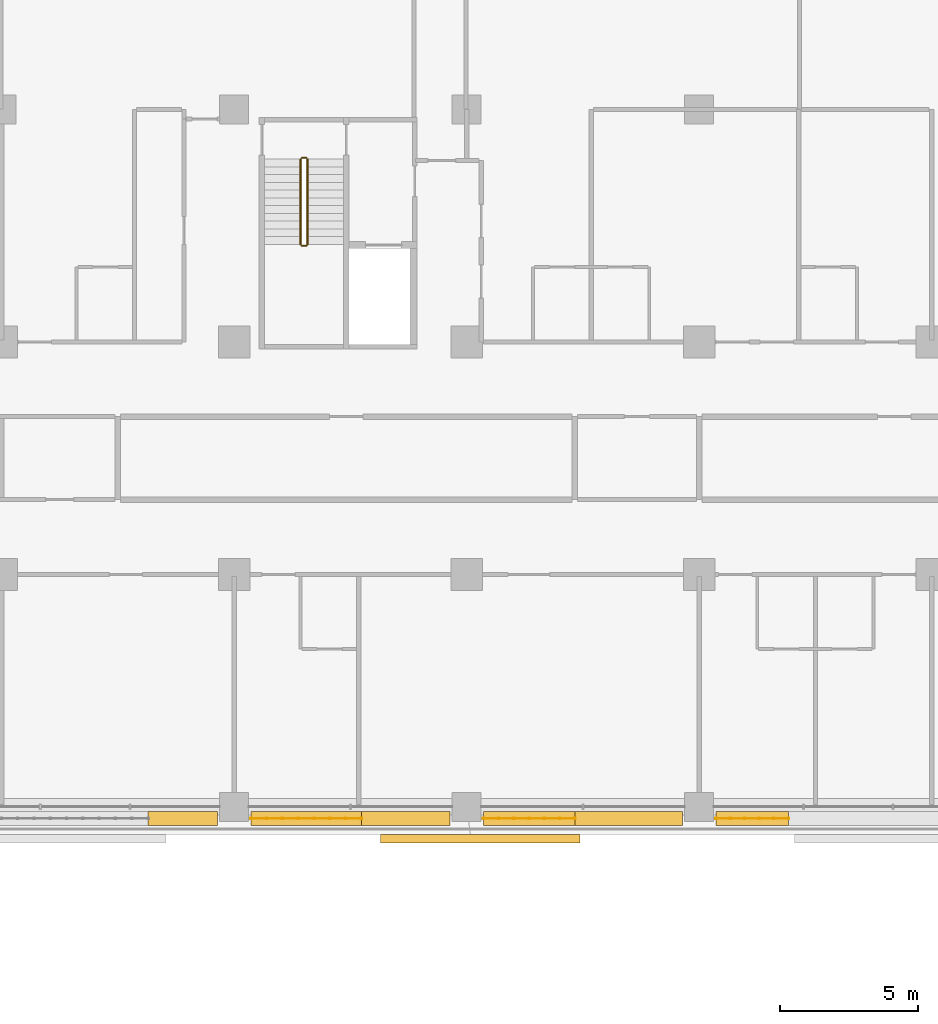
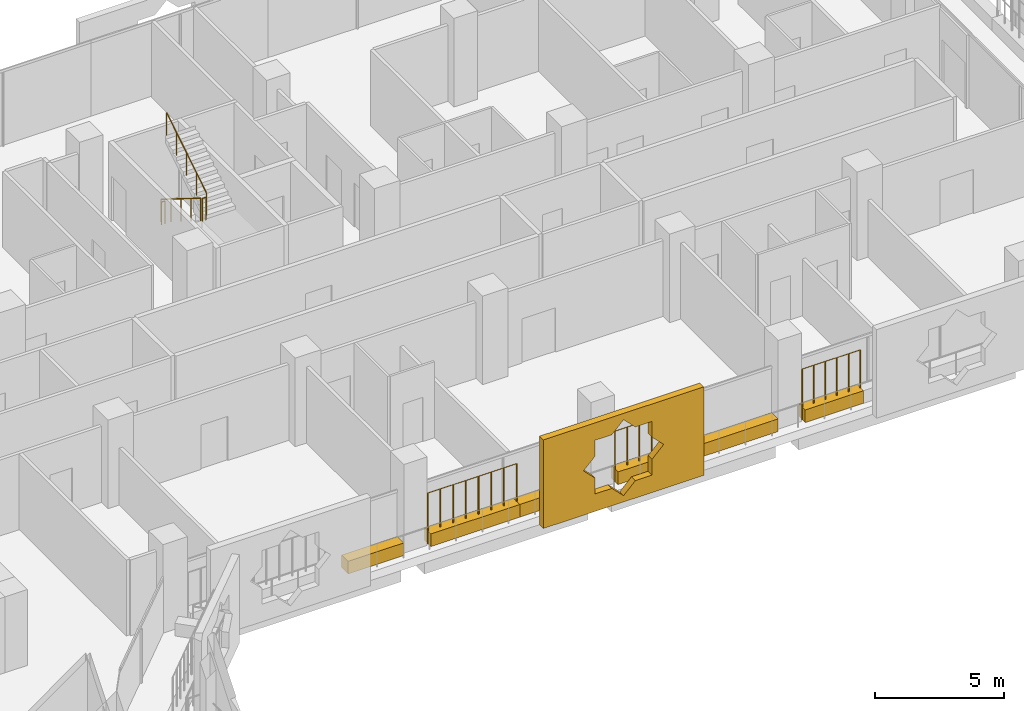
# One storey, part 23 of 25: 7 coverings, 7 railings.
"""IFC4 building model written with IfcOpenShell, lengths in metres."""

import ifcopenshell
import ifcopenshell.guid

model = None  # the IFC model being written
_history = None  # IfcOwnerHistory: only IFC2X3 demands one
_inside = {}  # id of a spatial element -> (the spatial element, [elements in it])
_under = {}  # id of a project, library or spatial element -> (it, [spatial elements below it])
_declared = {}  # id of a project -> (the project, [libraries it declares])
_typed = {}  # id of a type object -> (the type object, [elements of that type])
_made_of = {}  # id of a material, layer set ... -> (it, [elements and type objects made of it])


def new_model(schema):
    """Start an empty IFC model of exactly this schema.

    Asked for "IFC4X3", IfcOpenShell would pick the latest addendum, in which some entities
    have other attributes; the version numbers below select the first issue.
    IFC2X3 requires an IfcOwnerHistory on every rooted entity: one is made here for all.
    """
    global model, _history
    if schema == "IFC4X3":
        model = ifcopenshell.file(schema_version=(4, 3, 0, 0))
    else:
        model = ifcopenshell.file(schema=schema)
    _inside.clear()
    _under.clear()
    _declared.clear()
    _typed.clear()
    _made_of.clear()
    _history = None
    if model.schema == "IFC2X3":
        org = make("IfcOrganization", Name="unknown")
        user = make(
            "IfcPersonAndOrganization",
            ThePerson=make("IfcPerson", FamilyName="unknown"),
            TheOrganization=org,
        )
        app = make(
            "IfcApplication",
            ApplicationDeveloper=org,
            Version="unknown",
            ApplicationFullName="unknown",
            ApplicationIdentifier="unknown",
        )
        _history = make(
            "IfcOwnerHistory",
            OwningUser=user,
            OwningApplication=app,
            ChangeAction="ADDED",
            CreationDate=0,
        )
    return model


def make(cls, **values):
    """One entity of the class cls with the attributes given. An attribute that is None is left unset."""
    return model.create_entity(
        cls, **{name: value for name, value in values.items() if value is not None}
    )


def rooted(cls, **values):
    """An entity with a GlobalId (a new one), such as an element, a storey or a relation."""
    return make(cls, GlobalId=ifcopenshell.guid.new(), OwnerHistory=_history, **values)


def si_unit(unit_type, name, prefix=None):
    """IfcSIUnit, for example si_unit("LENGTHUNIT", "METRE", prefix="MILLI")."""
    return make("IfcSIUnit", UnitType=unit_type, Prefix=prefix, Name=name)


def assignment(units):
    """IfcUnitAssignment: the units of a project."""
    return None if units is None else make("IfcUnitAssignment", Units=units)


def point(xyz):
    """IfcCartesianPoint."""
    return None if xyz is None else make("IfcCartesianPoint", Coordinates=xyz)


def direction(xyz):
    """IfcDirection."""
    return None if xyz is None else make("IfcDirection", DirectionRatios=xyz)


def frame(location, z_axis=None, x_axis=None):
    """IfcAxis2Placement3D, a coordinate frame: its origin and axes. An axis left out is left unset."""
    return make(
        "IfcAxis2Placement3D",
        Location=point(location),
        Axis=direction(z_axis),
        RefDirection=direction(x_axis),
    )


def frame_2d(location, x_axis=None):
    """IfcAxis2Placement2D, a coordinate frame in the plane: its origin and x axis."""
    return make(
        "IfcAxis2Placement2D", Location=point(location), RefDirection=direction(x_axis)
    )


def origin():
    """The frame at (0, 0, 0) with its axes left unset."""
    return frame((0.0, 0.0, 0.0))


def origin_2d():
    """The frame at (0, 0) in the plane with its x axis left unset."""
    return frame_2d((0.0, 0.0))


def place(relative_to, where):
    """IfcLocalPlacement: puts the frame where relative to a parent placement (None: the world)."""
    return make(
        "IfcLocalPlacement", PlacementRelTo=relative_to, RelativePlacement=where
    )


def context(
    kind, dimensions, precision=None, world=None, true_north=None, identifier=None
):
    """IfcGeometricRepresentationContext, for example the 3D "Model" context."""
    return make(
        "IfcGeometricRepresentationContext",
        ContextIdentifier=identifier,
        ContextType=kind,
        CoordinateSpaceDimension=dimensions,
        Precision=precision,
        WorldCoordinateSystem=world,
        TrueNorth=true_north,
    )


def subcontext(parent, identifier, kind, view, scale=None):
    """IfcGeometricRepresentationSubContext, for example "Body" below "Model"."""
    return make(
        "IfcGeometricRepresentationSubContext",
        ContextIdentifier=identifier,
        ContextType=kind,
        ParentContext=parent,
        TargetScale=scale,
        TargetView=view,
    )


def project(units=None, contexts=None):
    """IfcProject with its units and contexts."""
    return rooted(
        "IfcProject",
        Name="project",
        RepresentationContexts=contexts,
        UnitsInContext=assignment(units),
    )


def spatial(cls, under=None, at=None, **own):
    """A site, building, storey or space (cls), placed at a placement, below another one or the project."""
    s = rooted(cls, ObjectPlacement=at, **own)
    if under is not None:
        _under.setdefault(under.id(), (under, []))[1].append(s)
    return s


def polyline(points):
    """IfcPolyline through the points."""
    return make("IfcPolyline", Points=[point(p) for p in points])


def profile(cls, at=None, kind="AREA", **sizes):
    """A parametric profile (cls). Its sizes go by their IFC names, for example OverallWidth=200.0."""
    return make(cls, ProfileType=kind, Position=at, **sizes)


def rectangle(**sizes):
    """IfcRectangleProfileDef."""
    return profile("IfcRectangleProfileDef", **sizes)


def circle(**sizes):
    """IfcCircleProfileDef."""
    return profile("IfcCircleProfileDef", **sizes)


def outline(outer, holes=None, kind="AREA"):
    """IfcArbitraryClosedProfileDef: a profile drawn as a closed curve; with holes, ...WithVoids."""
    if holes is None:
        return make("IfcArbitraryClosedProfileDef", ProfileType=kind, OuterCurve=outer)
    return make(
        "IfcArbitraryProfileDefWithVoids",
        ProfileType=kind,
        OuterCurve=outer,
        InnerCurves=holes,
    )


def extrude(swept, where, along, depth):
    """IfcExtrudedAreaSolid: the profile swept, set in the frame where, extruded along a direction by depth."""
    return make(
        "IfcExtrudedAreaSolid",
        SweptArea=swept,
        Position=where,
        ExtrudedDirection=direction(along),
        Depth=depth,
    )


def shape(context_of_items, identifier, shape_type, items):
    """IfcShapeRepresentation: the items that make up one representation, for example the "Body"."""
    return make(
        "IfcShapeRepresentation",
        ContextOfItems=context_of_items,
        RepresentationIdentifier=identifier,
        RepresentationType=shape_type,
        Items=items,
    )


def material(Name=None, Category=None):
    """IfcMaterial."""
    return make("IfcMaterial", Name=Name, Category=Category)


def material_profile(
    of_material, cross_section, Name=None, Category=None, Priority=None
):
    """IfcMaterialProfile: a cross section and its material."""
    return make(
        "IfcMaterialProfile",
        Name=Name,
        Material=of_material,
        Profile=cross_section,
        Priority=Priority,
        Category=Category,
    )


def profile_set(profiles, Name=None, composite=None):
    """IfcMaterialProfileSet."""
    return make(
        "IfcMaterialProfileSet",
        Name=Name,
        MaterialProfiles=profiles,
        CompositeProfile=composite,
    )


def made_of(thing, what):
    """Note that an element or type object is made of a material, layer set ...; save() writes the relation."""
    if what is not None:
        _made_of.setdefault(what.id(), (what, []))[1].append(thing)
    return thing


def type_object(cls, material=None, **own):
    """A type object (cls), such as IfcWallType, which elements share."""
    return made_of(rooted(cls, **own), material)


def element(
    cls,
    number,
    at=None,
    inside=None,
    cuts=None,
    type_object=None,
    material=None,
    context=None,
    identifier="Body",
    shape_type=None,
    held_by="IfcProductDefinitionShape",
    body=None,
    shapes=None,
    **own,
):
    """One element of the class cls, such as IfcWall. Its Tag is "e" and its number.

    at: its placement. inside: the storey or other place that contains it. cuts: it is an
    opening in that element (IfcRelVoidsElement). A single representation is given by context,
    identifier, shape_type and body (its items); several are given by shapes. held_by: the class
    of the entity that holds the representations. save() writes the other relations.
    """
    e = rooted(cls, Tag="e%d" % number, ObjectPlacement=at, **own)
    if body is not None:
        shapes = [shape(context, identifier, shape_type, body)]
    if shapes is not None:
        e.Representation = make(held_by, Representations=shapes)
    if inside is not None:
        _inside.setdefault(inside.id(), (inside, []))[1].append(e)
    if cuts is not None:
        rooted(
            "IfcRelVoidsElement", RelatingBuildingElement=cuts, RelatedOpeningElement=e
        )
    if type_object is not None:
        _typed.setdefault(type_object.id(), (type_object, []))[1].append(e)
    return made_of(e, material)


def aggregate(whole, parts):
    """IfcRelAggregates: a whole, such as a stair, and the parts it consists of."""
    return rooted("IfcRelAggregates", RelatingObject=whole, RelatedObjects=parts)


def save(model, path):
    """Write the relations noted so far, then the file.

    IfcRelAggregates (storeys below a building ...), IfcRelContainedInSpatialStructure (elements
    in a storey), IfcRelDefinesByType, IfcRelAssociatesMaterial and IfcRelDeclares: one each for
    every whole, place, type object, material and project.
    """
    for whole, parts in _under.values():
        aggregate(whole, parts)
    for where, things in _inside.values():
        rooted(
            "IfcRelContainedInSpatialStructure",
            RelatedElements=things,
            RelatingStructure=where,
        )
    for kind, things in _typed.values():
        rooted("IfcRelDefinesByType", RelatedObjects=things, RelatingType=kind)
    for what, things in _made_of.values():
        rooted("IfcRelAssociatesMaterial", RelatedObjects=things, RelatingMaterial=what)
    for by, libraries in _declared.values():
        rooted("IfcRelDeclares", RelatingContext=by, RelatedDefinitions=libraries)
    model.write(path)


model = new_model("IFC4")

# Units and contexts
model_context = context("Model", 3, precision=1e-05, world=origin(), true_north=direction((0.0, 1.0)))
body_context = subcontext(model_context, "Body", "Model", "MODEL_VIEW")
ifc_project = project(units=[si_unit("LENGTHUNIT", "METRE"), si_unit("AREAUNIT", "SQUARE_METRE"), si_unit("VOLUMEUNIT", "CUBIC_METRE"), si_unit("PLANEANGLEUNIT", "RADIAN"), si_unit("MASSUNIT", "GRAM", prefix="KILO")], contexts=[model_context])

# Site, building, storey
site_placement = place(None, origin())
site = spatial("IfcSite", under=ifc_project, at=site_placement, CompositionType="ELEMENT")
building_placement = place(site_placement, origin())
building = spatial("IfcBuilding", under=site, at=building_placement, Name="Kawkab Arch Medical Tower", CompositionType="ELEMENT")
storey_placement = place(building_placement, frame((0.0, 0.0, 128.199951171875)))
storey = spatial("IfcBuildingStorey", under=building, at=storey_placement, Name="L29", CompositionType="ELEMENT", Elevation=128.199951171875)

# Coverings
ifc_material_1 = material(Name="Bronze anodised aluminium mashrabiya panel, eight-point star pattern", Category="aluminium")
ifc_material_profile_1 = material_profile(ifc_material_1, outline(polyline([(-3.60009765625, -2.10009765625), (3.60009765625, -2.10009765625), (3.60009765625, 2.10009765625), (-3.60009765625, 2.10009765625), (-3.60009765625, -2.10009765625)]), holes=[polyline([(1.800048828125, 0.0), (1.272705078125, 0.527099609375), (1.272705078125, 1.272705078125), (0.527099609375, 1.272705078125), (0.0, 1.800048828125), (-0.527099609375, 1.272705078125), (-1.272705078125, 1.272705078125), (-1.272705078125, 0.527099609375), (-1.800048828125, 0.0), (-1.272705078125, -0.527099609375), (-1.272705078125, -1.272705078125), (-0.527099609375, -1.272705078125), (0.0, -1.800048828125), (0.527099609375, -1.272705078125), (1.272705078125, -1.272705078125), (1.272705078125, -0.527099609375), (1.800048828125, 0.0)])]), Name="Mashrabiya panel 7200x4200")
ifc_profile_set_1 = profile_set([ifc_material_profile_1], Name="Bronze anodised aluminium mashrabiya panel, eight-point star pattern")
covering_type_1 = type_object("IfcCoveringType", Name="Mashrabiya panel 7200 x 4200", PredefinedType="USERDEFINED", material=ifc_profile_set_1)
covering_1_placement = place(storey_placement, frame((50.892333984375, -26.199951171875, 1.699951171875), z_axis=(0.0, -1.0, 0.0), x_axis=(1.0, 0.0, 0.0)))
element("IfcCovering", 1, at=covering_1_placement, inside=storey, type_object=covering_type_1, Name="Mashrabiya panel L29.LOG-01-01.12", ObjectType="SCREEN", PredefinedType="USERDEFINED", context=body_context, shape_type="SweptSolid", body=[
    extrude(outline(polyline([(-3.60009765625, -2.10009765625), (3.60009765625, -2.10009765625), (3.60009765625, 2.10009765625), (-3.60009765625, 2.10009765625), (-3.60009765625, -2.10009765625)]), holes=[polyline([(1.800048828125, 0.0), (1.272705078125, 0.527099609375), (1.272705078125, 1.272705078125), (0.527099609375, 1.272705078125), (0.0, 1.800048828125), (-0.527099609375, 1.272705078125), (-1.272705078125, 1.272705078125), (-1.272705078125, 0.527099609375), (-1.800048828125, 0.0), (-1.272705078125, -0.527099609375), (-1.272705078125, -1.272705078125), (-0.527099609375, -1.272705078125), (0.0, -1.800048828125), (0.527099609375, -1.272705078125), (1.272705078125, -1.272705078125), (1.272705078125, -0.527099609375), (1.800048828125, 0.0)])]), origin(), (0.0, 0.0, 1.0), 0.300048828125),
])
ifc_material_2 = material(Name="Planting soil in a precast trough", Category="concrete")
ifc_material_profile_2 = material_profile(ifc_material_2, rectangle(XDim=0.5, YDim=0.60009765625, at=origin_2d()), Name="Trough 500x600")
ifc_profile_set_2 = profile_set([ifc_material_profile_2], Name="Planting soil in a precast trough")
covering_type_2 = type_object("IfcCoveringType", Name="Planter trough 500 x 600", PredefinedType="USERDEFINED", material=ifc_profile_set_2)
covering_2_placement = place(storey_placement, frame((62.01806640625, -25.6201171875, 0.300048828125), z_axis=(-1.0, 0.0, 0.0), x_axis=(0.0, -1.0, 0.0)))
element("IfcCovering", 2, at=covering_2_placement, inside=storey, type_object=covering_type_2, Name="Planter L29.LOG-01-01.35", ObjectType="PLANTER", PredefinedType="USERDEFINED", context=body_context, shape_type="SweptSolid", body=[
    extrude(rectangle(XDim=0.5, YDim=0.60009765625, at=origin_2d()), origin(), (0.0, 0.0, 1.0), 2.613037109375),
])
covering_3_placement = place(storey_placement, frame((58.195068359375, -25.6201171875, 0.300048828125), z_axis=(-1.0, 0.0, 0.0), x_axis=(0.0, -1.0, 0.0)))
element("IfcCovering", 3, at=covering_3_placement, inside=storey, type_object=covering_type_2, Name="Planter L29.LOG-01-01.36", ObjectType="PLANTER", PredefinedType="USERDEFINED", context=body_context, shape_type="SweptSolid", body=[
    extrude(rectangle(XDim=0.5, YDim=0.60009765625, at=origin_2d()), origin(), (0.0, 0.0, 1.0), 3.885986328125),
])
covering_4_placement = place(storey_placement, frame((54.30908203125, -25.6201171875, 0.300048828125), z_axis=(-1.0, 0.0, 0.0), x_axis=(0.0, -1.0, 0.0)))
element("IfcCovering", 4, at=covering_4_placement, inside=storey, type_object=covering_type_2, Name="Planter L29.LOG-01-01.37", ObjectType="PLANTER", PredefinedType="USERDEFINED", context=body_context, shape_type="SweptSolid", body=[
    extrude(rectangle(XDim=0.5, YDim=0.60009765625, at=origin_2d()), origin(), (0.0, 0.0, 1.0), 3.30419921875),
])
covering_5_placement = place(storey_placement, frame((49.794921875, -25.6201171875, 0.300048828125), z_axis=(-1.0, 0.0, 0.0), x_axis=(0.0, -1.0, 0.0)))
element("IfcCovering", 5, at=covering_5_placement, inside=storey, type_object=covering_type_2, Name="Planter L29.LOG-01-01.38", ObjectType="PLANTER", PredefinedType="USERDEFINED", context=body_context, shape_type="SweptSolid", body=[
    extrude(rectangle(XDim=0.5, YDim=0.60009765625, at=origin_2d()), origin(), (0.0, 0.0, 1.0), 3.19384765625),
])
covering_6_placement = place(storey_placement, frame((46.60107421875, -25.6201171875, 0.300048828125), z_axis=(-1.0, 0.0, 0.0), x_axis=(0.0, -1.0, 0.0)))
element("IfcCovering", 6, at=covering_6_placement, inside=storey, type_object=covering_type_2, Name="Planter L29.LOG-01-01.39", ObjectType="PLANTER", PredefinedType="USERDEFINED", context=body_context, shape_type="SweptSolid", body=[
    extrude(rectangle(XDim=0.5, YDim=0.60009765625, at=origin_2d()), origin(), (0.0, 0.0, 1.0), 3.99609375),
])
covering_7_placement = place(storey_placement, frame((41.39501953125, -25.6201171875, 0.300048828125), z_axis=(-1.0, 0.0, 0.0), x_axis=(0.0, -1.0, 0.0)))
element("IfcCovering", 7, at=covering_7_placement, inside=storey, type_object=covering_type_2, Name="Planter L29.LOG-01-01.40", ObjectType="PLANTER", PredefinedType="USERDEFINED", context=body_context, shape_type="SweptSolid", body=[
    extrude(rectangle(XDim=0.5, YDim=0.60009765625, at=origin_2d()), origin(), (0.0, 0.0, 1.0), 2.501953125),
])

# Railings
ifc_material_3 = material(Name="Bronze anodised aluminium trellis for climbing plants", Category="aluminium")
railing_type_1 = type_object("IfcRailingType", Name="Planting trellis 2400", PredefinedType="USERDEFINED", material=ifc_material_3)
railing_1_placement = place(storey_placement, frame((62.01806640625, -25.6201171875, 0.0)))
element("IfcRailing", 8, at=railing_1_placement, inside=storey, type_object=railing_type_1, Name="Planting trellis L29.LOG-01-01.35", ObjectType="TRELLIS", PredefinedType="USERDEFINED", context=body_context, shape_type="SweptSolid", body=[
    extrude(circle(Radius=0.01513671875, at=origin_2d()), frame((0.0, 0.0, 2.384765625), z_axis=(-1.0, 0.0, 0.0), x_axis=(0.0, -1.0, 0.0)), (0.0, 0.0, 1.0), 2.613037109375),
    extrude(circle(Radius=0.030029296875, at=origin_2d()), origin(), (0.0, 0.0, 1.0), 2.369873046875),
    extrude(circle(Radius=0.030029296875, at=origin_2d()), frame((-0.522705078125, 0.0, 0.0)), (0.0, 0.0, 1.0), 2.369873046875),
    extrude(circle(Radius=0.030029296875, at=origin_2d()), frame((-1.045166015625, 0.0, 0.0)), (0.0, 0.0, 1.0), 2.369873046875),
    extrude(circle(Radius=0.030029296875, at=origin_2d()), frame((-1.56787109375, 0.0, 0.0)), (0.0, 0.0, 1.0), 2.369873046875),
    extrude(circle(Radius=0.030029296875, at=origin_2d()), frame((-2.09033203125, 0.0, 0.0)), (0.0, 0.0, 1.0), 2.369873046875),
    extrude(circle(Radius=0.030029296875, at=origin_2d()), frame((-2.613037109375, 0.0, 0.0)), (0.0, 0.0, 1.0), 2.369873046875),
])
railing_2_placement = place(storey_placement, frame((54.30908203125, -25.6201171875, 0.0)))
element("IfcRailing", 9, at=railing_2_placement, inside=storey, type_object=railing_type_1, Name="Planting trellis L29.LOG-01-01.37", ObjectType="TRELLIS", PredefinedType="USERDEFINED", context=body_context, shape_type="SweptSolid", body=[
    extrude(circle(Radius=0.01513671875, at=origin_2d()), frame((0.0, 0.0, 2.384765625), z_axis=(-1.0, 0.0, 0.0), x_axis=(0.0, -1.0, 0.0)), (0.0, 0.0, 1.0), 3.30419921875),
    extrude(circle(Radius=0.030029296875, at=origin_2d()), origin(), (0.0, 0.0, 1.0), 2.369873046875),
    extrude(circle(Radius=0.030029296875, at=origin_2d()), frame((-0.55078125, 0.0, 0.0)), (0.0, 0.0, 1.0), 2.369873046875),
    extrude(circle(Radius=0.030029296875, at=origin_2d()), frame((-1.101318359375, 0.0, 0.0)), (0.0, 0.0, 1.0), 2.369873046875),
    extrude(circle(Radius=0.030029296875, at=origin_2d()), frame((-1.652099609375, 0.0, 0.0)), (0.0, 0.0, 1.0), 2.369873046875),
    extrude(circle(Radius=0.030029296875, at=origin_2d()), frame((-2.202880859375, 0.0, 0.0)), (0.0, 0.0, 1.0), 2.369873046875),
    extrude(circle(Radius=0.030029296875, at=origin_2d()), frame((-2.75341796875, 0.0, 0.0)), (0.0, 0.0, 1.0), 2.369873046875),
    extrude(circle(Radius=0.030029296875, at=origin_2d()), frame((-3.30419921875, 0.0, 0.0)), (0.0, 0.0, 1.0), 2.369873046875),
])
railing_3_placement = place(storey_placement, frame((46.60107421875, -25.6201171875, 0.0)))
element("IfcRailing", 10, at=railing_3_placement, inside=storey, type_object=railing_type_1, Name="Planting trellis L29.LOG-01-01.39", ObjectType="TRELLIS", PredefinedType="USERDEFINED", context=body_context, shape_type="SweptSolid", body=[
    extrude(circle(Radius=0.01513671875, at=origin_2d()), frame((0.0, 0.0, 2.384765625), z_axis=(-1.0, 0.0, 0.0), x_axis=(0.0, -1.0, 0.0)), (0.0, 0.0, 1.0), 3.99609375),
    extrude(circle(Radius=0.030029296875, at=origin_2d()), origin(), (0.0, 0.0, 1.0), 2.369873046875),
    extrude(circle(Radius=0.030029296875, at=origin_2d()), frame((-0.57080078125, 0.0, 0.0)), (0.0, 0.0, 1.0), 2.369873046875),
    extrude(circle(Radius=0.030029296875, at=origin_2d()), frame((-1.141845703125, 0.0, 0.0)), (0.0, 0.0, 1.0), 2.369873046875),
    extrude(circle(Radius=0.030029296875, at=origin_2d()), frame((-1.712646484375, 0.0, 0.0)), (0.0, 0.0, 1.0), 2.369873046875),
    extrude(circle(Radius=0.030029296875, at=origin_2d()), frame((-2.283447265625, 0.0, 0.0)), (0.0, 0.0, 1.0), 2.369873046875),
    extrude(circle(Radius=0.030029296875, at=origin_2d()), frame((-2.854248046875, 0.0, 0.0)), (0.0, 0.0, 1.0), 2.369873046875),
    extrude(circle(Radius=0.030029296875, at=origin_2d()), frame((-3.42529296875, 0.0, 0.0)), (0.0, 0.0, 1.0), 2.369873046875),
    extrude(circle(Radius=0.030029296875, at=origin_2d()), frame((-3.99609375, 0.0, 0.0)), (0.0, 0.0, 1.0), 2.369873046875),
])
ifc_material_4 = material(Name="Stainless steel", Category="steel")
railing_type_2 = type_object("IfcRailingType", Name="Stair guard 1100", PredefinedType="GUARDRAIL", material=ifc_material_4)
railing_4_placement = place(storey_placement, frame((44.39990234375, -1.800048828125, 0.175048828125)))
element("IfcRailing", 11, at=railing_4_placement, inside=storey, type_object=railing_type_2, Name="L29 ST5 stair guard 1", PredefinedType="GUARDRAIL", context=body_context, shape_type="SweptSolid", body=[
    extrude(circle(Radius=0.02392578125, at=origin_2d()), frame((0.0, 0.0, 1.076171875), z_axis=(0.0, -0.847979421464, 0.530029150871), x_axis=(1.0, 0.0, 0.0)), (0.0, 0.0, 1.0), 3.632080078125),
    extrude(circle(Radius=0.02099609375, at=origin_2d()), origin(), (0.0, 0.0, 1.0), 1.052001953125),
    extrude(circle(Radius=0.02099609375, at=origin_2d()), frame((0.0, -0.77001953125, 0.481201171875)), (0.0, 0.0, 1.0), 1.052001953125),
    extrude(circle(Radius=0.02099609375, at=origin_2d()), frame((0.0, -1.5400390625, 0.96240234375)), (0.0, 0.0, 1.0), 1.052001953125),
    extrude(circle(Radius=0.02099609375, at=origin_2d()), frame((0.0, -2.309814453125, 1.44384765625)), (0.0, 0.0, 1.0), 1.052001953125),
    extrude(circle(Radius=0.02099609375, at=origin_2d()), frame((0.0, -3.079833984375, 1.925048828125)), (0.0, 0.0, 1.0), 1.052001953125),
])
railing_5_placement = place(storey_placement, frame((44.449951171875, -4.929931640625, 2.10009765625)))
element("IfcRailing", 12, at=railing_5_placement, inside=storey, type_object=railing_type_2, Name="L29 ST5 stair guard 2", PredefinedType="GUARDRAIL", context=body_context, shape_type="SweptSolid", body=[
    extrude(circle(Radius=0.02392578125, at=origin_2d()), frame((0.0, 0.0, 1.076171875), z_axis=(1.0, 0.0, 0.0), x_axis=(0.0, 1.0, 0.0)), (0.0, 0.0, 1.0), 0.150146484375),
    extrude(circle(Radius=0.02099609375, at=origin_2d()), origin(), (0.0, 0.0, 1.0), 1.052001953125),
    extrude(circle(Radius=0.02099609375, at=origin_2d()), frame((0.150146484375, 0.0, 0.0)), (0.0, 0.0, 1.0), 1.052001953125),
])
railing_6_placement = place(storey_placement, frame((44.64990234375, -4.8798828125, 2.275146484375)))
element("IfcRailing", 13, at=railing_6_placement, inside=storey, type_object=railing_type_2, Name="L29 ST5 stair guard 3", PredefinedType="GUARDRAIL", context=body_context, shape_type="SweptSolid", body=[
    extrude(circle(Radius=0.02392578125, at=origin_2d()), frame((0.0, 0.0, 1.076171875), z_axis=(0.0, 0.848009633417, 0.529980812513), x_axis=(-1.0, 0.0, 0.0)), (0.0, 0.0, 1.0), 3.6318359375),
    extrude(circle(Radius=0.02099609375, at=origin_2d()), origin(), (0.0, 0.0, 1.0), 1.052001953125),
    extrude(circle(Radius=0.02099609375, at=origin_2d()), frame((0.0, 0.77001953125, 0.481201171875)), (0.0, 0.0, 1.0), 1.052001953125),
    extrude(circle(Radius=0.02099609375, at=origin_2d()), frame((0.0, 1.5400390625, 0.96240234375)), (0.0, 0.0, 1.0), 1.052001953125),
    extrude(circle(Radius=0.02099609375, at=origin_2d()), frame((0.0, 2.309814453125, 1.443603515625)), (0.0, 0.0, 1.0), 1.052001953125),
    extrude(circle(Radius=0.02099609375, at=origin_2d()), frame((0.0, 3.079833984375, 1.9248046875)), (0.0, 0.0, 1.0), 1.052001953125),
])
railing_7_placement = place(storey_placement, frame((44.449951171875, -1.75, 0.0)))
element("IfcRailing", 14, at=railing_7_placement, inside=storey, type_object=railing_type_2, Name="L29 ST5 stair guard 4", PredefinedType="GUARDRAIL", context=body_context, shape_type="SweptSolid", body=[
    extrude(circle(Radius=0.02392578125, at=origin_2d()), frame((0.0, 0.0, 1.076171875), z_axis=(1.0, 0.0, 0.0), x_axis=(0.0, 1.0, 0.0)), (0.0, 0.0, 1.0), 0.150146484375),
    extrude(circle(Radius=0.02099609375, at=origin_2d()), origin(), (0.0, 0.0, 1.0), 1.052001953125),
    extrude(circle(Radius=0.02099609375, at=origin_2d()), frame((0.150146484375, 0.0, 0.0)), (0.0, 0.0, 1.0), 1.052001953125),
])

save(model, "model.ifc")
